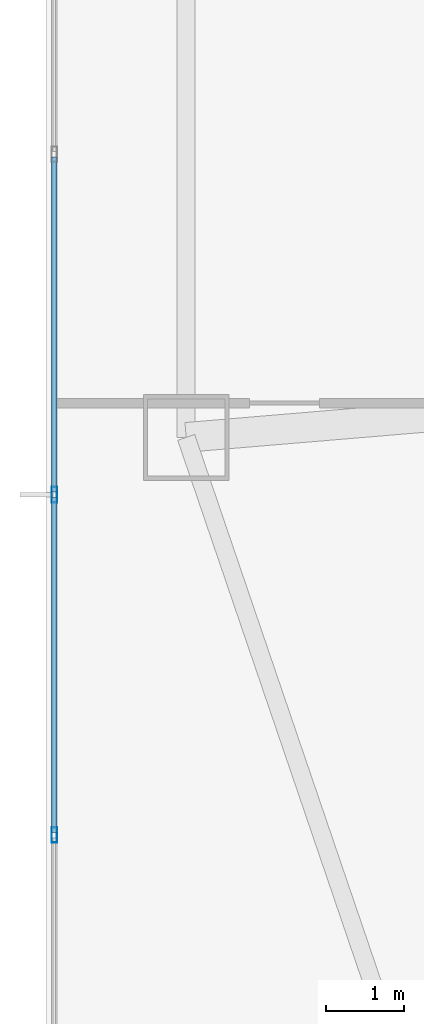
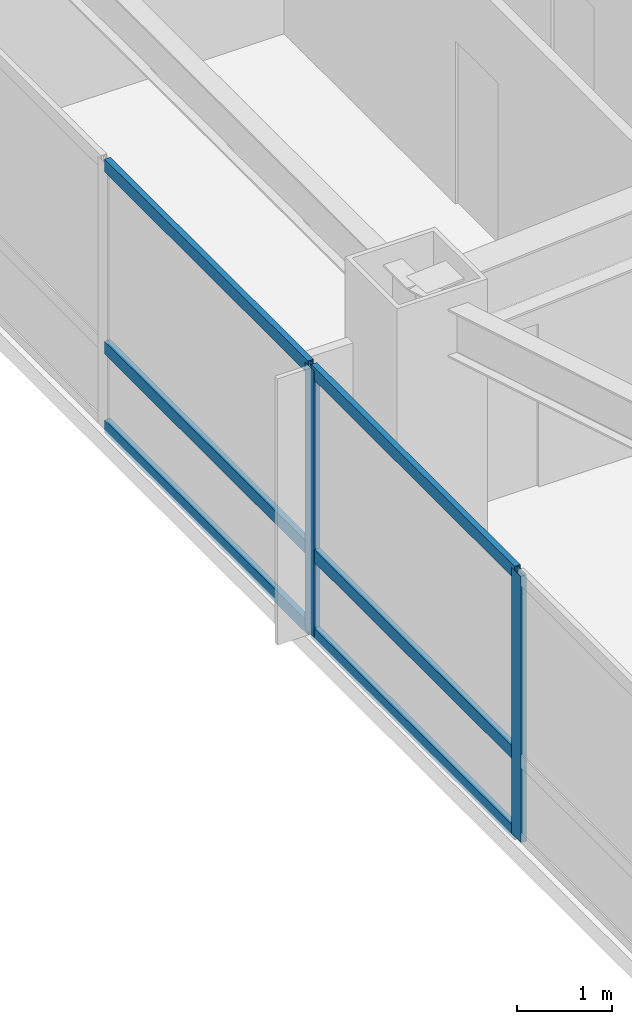
# One storey, part 4 of 18: 8 members, 1 element without a shape of its own.
"""IFC4 building model written with IfcOpenShell, lengths in metres."""

from ifc_helpers import new_model, si_unit, direction, frame, origin, origin_2d, place, context, subcontext, project, spatial, hollow_rectangle, extrude, material, material_profile, profile_set, type_object, element, aggregate, save


model = new_model("IFC4")

# Units and contexts
model_context = context("Model", 3, precision=1e-05, world=origin(), true_north=direction((0.0, 1.0)))
body_context = subcontext(model_context, "Body", "Model", "MODEL_VIEW")
ifc_project = project(units=[si_unit("LENGTHUNIT", "METRE"), si_unit("AREAUNIT", "SQUARE_METRE"), si_unit("VOLUMEUNIT", "CUBIC_METRE"), si_unit("PLANEANGLEUNIT", "RADIAN"), si_unit("MASSUNIT", "GRAM", prefix="KILO")], contexts=[model_context])

# Site, building, storey
site_placement = place(None, origin())
site = spatial("IfcSite", under=ifc_project, at=site_placement, CompositionType="ELEMENT")
building_placement = place(site_placement, origin())
building = spatial("IfcBuilding", under=site, at=building_placement, Name="Khamvora Tower", CompositionType="ELEMENT")
storey_placement = place(building_placement, frame((0.0, 0.0, 47.89990234375)))
storey = spatial("IfcBuildingStorey", under=building, at=storey_placement, Name="L11", CompositionType="ELEMENT", Elevation=47.89990234375)

# Curtain wall, members
ifc_material = material(Name="Anodised Aluminium 6063-T6", Category="aluminium")
curtain_wall_type = type_object("IfcCurtainWallType", Name="CW-SYS-02", PredefinedType="NOTDEFINED", material=ifc_material)
curtain_wall_placement = place(storey_placement, origin())
curtain_wall = element("IfcCurtainWall", 1, at=curtain_wall_placement, inside=storey, type_object=curtain_wall_type, Name="L11 stick curtain wall 02.1", PredefinedType="NOTDEFINED")
ifc_material_profile_1 = material_profile(ifc_material, hollow_rectangle(XDim=0.070068359375, YDim=0.199951171875, WallThickness=0.0048828125, at=origin_2d()), Name="MUL70x200x5")
ifc_profile_set_1 = profile_set([ifc_material_profile_1], Name="Anodised Aluminium 6063-T6")
member_type_1 = type_object("IfcMemberType", Name="CW-SYS-02-MUL", PredefinedType="MULLION", material=ifc_profile_set_1)
member_1_placement = place(storey_placement, frame((4.110107421875, 11.678466796875, 0.0), z_axis=(0.0, 0.0, 1.0), x_axis=(-1.0, 0.0, 0.0)))
member_1 = element("IfcMember", 2, at=member_1_placement, type_object=member_type_1, Name="CW-02 mullion 2", PredefinedType="MULLION", context=body_context, shape_type="SweptSolid", body=[
    extrude(hollow_rectangle(XDim=0.070068359375, YDim=0.199951171875, WallThickness=0.0048828125, at=origin_2d()), origin(), (0.0, 0.0, 1.0), 3.43017578125),
])
member_2_placement = place(storey_placement, frame((4.110107421875, 16.0400390625, 0.0), z_axis=(0.0, 0.0, 1.0), x_axis=(-1.0, 0.0, 0.0)))
member_2 = element("IfcMember", 3, at=member_2_placement, type_object=member_type_1, Name="CW-02 mullion 3", PredefinedType="MULLION", context=body_context, shape_type="SweptSolid", body=[
    extrude(hollow_rectangle(XDim=0.070068359375, YDim=0.199951171875, WallThickness=0.0048828125, at=origin_2d()), origin(), (0.0, 0.0, 1.0), 3.43017578125),
])
ifc_material_profile_2 = material_profile(ifc_material, hollow_rectangle(XDim=0.070068359375, YDim=0.1650390625, WallThickness=0.0048828125, at=origin_2d()), Name="TRN70x165x5")
ifc_profile_set_2 = profile_set([ifc_material_profile_2], Name="Anodised Aluminium 6063-T6")
member_type_2 = type_object("IfcMemberType", Name="CW-SYS-02-TRN", PredefinedType="USERDEFINED", material=ifc_profile_set_2)
member_3_placement = place(storey_placement, frame((4.110107421875, 11.71337890625, 0.03515625), z_axis=(0.0, 1.0, 0.0), x_axis=(-1.0, 0.0, 0.0)))
member_3 = element("IfcMember", 4, at=member_3_placement, type_object=member_type_2, Name="CW-02 transom 2.1", ObjectType="TRANSOM", PredefinedType="USERDEFINED", context=body_context, shape_type="SweptSolid", body=[
    extrude(hollow_rectangle(XDim=0.070068359375, YDim=0.1650390625, WallThickness=0.0048828125, at=origin_2d()), origin(), (0.0, 0.0, 1.0), 4.29150390625),
])
member_4_placement = place(storey_placement, frame((4.110107421875, 11.71337890625, 1.050048828125), z_axis=(0.0, 1.0, 0.0), x_axis=(-1.0, 0.0, 0.0)))
member_4 = element("IfcMember", 5, at=member_4_placement, type_object=member_type_2, Name="CW-02 transom 2.2", ObjectType="TRANSOM", PredefinedType="USERDEFINED", context=body_context, shape_type="SweptSolid", body=[
    extrude(hollow_rectangle(XDim=0.070068359375, YDim=0.1650390625, WallThickness=0.0048828125, at=origin_2d()), origin(), (0.0, 0.0, 1.0), 4.29150390625),
])
member_5_placement = place(storey_placement, frame((4.110107421875, 11.71337890625, 3.39501953125), z_axis=(0.0, 1.0, 0.0), x_axis=(-1.0, 0.0, 0.0)))
member_5 = element("IfcMember", 6, at=member_5_placement, type_object=member_type_2, Name="CW-02 transom 2.3", ObjectType="TRANSOM", PredefinedType="USERDEFINED", context=body_context, shape_type="SweptSolid", body=[
    extrude(hollow_rectangle(XDim=0.070068359375, YDim=0.1650390625, WallThickness=0.0048828125, at=origin_2d()), origin(), (0.0, 0.0, 1.0), 4.29150390625),
])
member_6_placement = place(storey_placement, frame((4.110107421875, 16.074951171875, 0.03515625), z_axis=(0.0, 1.0, 0.0), x_axis=(-1.0, 0.0, 0.0)))
member_6 = element("IfcMember", 7, at=member_6_placement, type_object=member_type_2, Name="CW-02 transom 3.1", ObjectType="TRANSOM", PredefinedType="USERDEFINED", context=body_context, shape_type="SweptSolid", body=[
    extrude(hollow_rectangle(XDim=0.070068359375, YDim=0.1650390625, WallThickness=0.0048828125, at=origin_2d()), origin(), (0.0, 0.0, 1.0), 4.29150390625),
])
member_7_placement = place(storey_placement, frame((4.110107421875, 16.074951171875, 1.050048828125), z_axis=(0.0, 1.0, 0.0), x_axis=(-1.0, 0.0, 0.0)))
member_7 = element("IfcMember", 8, at=member_7_placement, type_object=member_type_2, Name="CW-02 transom 3.2", ObjectType="TRANSOM", PredefinedType="USERDEFINED", context=body_context, shape_type="SweptSolid", body=[
    extrude(hollow_rectangle(XDim=0.070068359375, YDim=0.1650390625, WallThickness=0.0048828125, at=origin_2d()), origin(), (0.0, 0.0, 1.0), 4.29150390625),
])
member_8_placement = place(storey_placement, frame((4.110107421875, 16.074951171875, 3.39501953125), z_axis=(0.0, 1.0, 0.0), x_axis=(-1.0, 0.0, 0.0)))
member_8 = element("IfcMember", 9, at=member_8_placement, type_object=member_type_2, Name="CW-02 transom 3.3", ObjectType="TRANSOM", PredefinedType="USERDEFINED", context=body_context, shape_type="SweptSolid", body=[
    extrude(hollow_rectangle(XDim=0.070068359375, YDim=0.1650390625, WallThickness=0.0048828125, at=origin_2d()), origin(), (0.0, 0.0, 1.0), 4.29150390625),
])
aggregate(curtain_wall, [member_1, member_2, member_3, member_4, member_5, member_6, member_7, member_8])

save(model, "model.ifc")
